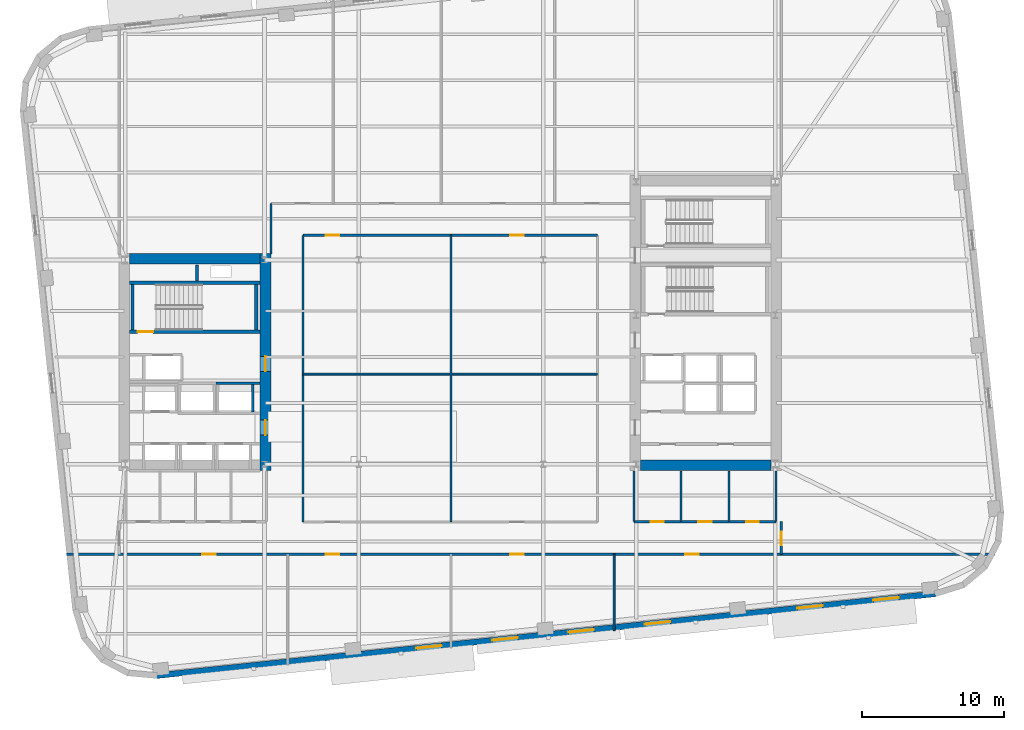
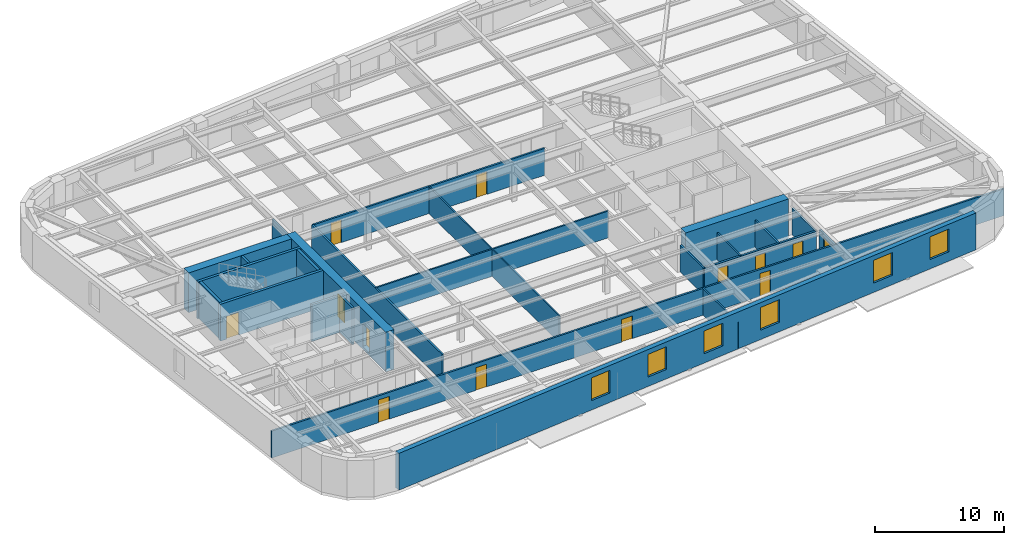
# One storey, part 5 of 11: 24 walls, 13 doors, 6 windows, 19 openings.
"""IFC4 building model written with IfcOpenShell, lengths in metres."""

from ifc_helpers import new_model, si_unit, direction, frame, frame_2d, origin, place, context, subcontext, project, spatial, rectangle, extrude, material, layer, layer_set, type_object, element, fill, save


model = new_model("IFC4")

# Units and contexts
model_context = context("Model", 3, precision=1e-05, world=origin(), true_north=direction((0.0, 1.0)))
body_context = subcontext(model_context, "Body", "Model", "MODEL_VIEW")
ifc_project = project(units=[si_unit("LENGTHUNIT", "METRE"), si_unit("AREAUNIT", "SQUARE_METRE"), si_unit("VOLUMEUNIT", "CUBIC_METRE"), si_unit("PLANEANGLEUNIT", "RADIAN"), si_unit("MASSUNIT", "GRAM", prefix="KILO")], contexts=[model_context])

# Site, building, storey
site_placement = place(None, origin())
site = spatial("IfcSite", under=ifc_project, at=site_placement, CompositionType="ELEMENT")
building_placement = place(site_placement, origin())
building = spatial("IfcBuilding", under=site, at=building_placement, Name="Kolvaren Arena Tower", CompositionType="ELEMENT")
storey_placement = place(building_placement, frame((0.0, 0.0, 134.5)))
storey = spatial("IfcBuildingStorey", under=building, at=storey_placement, Name="L31", CompositionType="ELEMENT", Elevation=134.5)

# Wall, openings, doors
ifc_material_1 = material(Name="Gypsum board acoustic assembly", Category="gypsum")
ifc_layer_1 = layer(ifc_material_1, 0.159912109375)
ifc_layer_set_1 = layer_set([ifc_layer_1], Name="Gypsum board acoustic assembly")
wall_type_1 = type_object("IfcWallType", Name="CORR-160", PredefinedType="PARTITIONING", material=ifc_layer_set_1)
wall_1_placement = place(storey_placement, frame((10.41552734375, 13.10009765625, 0.0), z_axis=(0.0, 0.0, 1.0), x_axis=(1.0, 0.0, 0.0)))
wall_1 = element("IfcWall", 1, at=wall_1_placement, inside=storey, type_object=wall_type_1, Name="Interior Partition Wall (L31)", PredefinedType="PARTITIONING", context=body_context, shape_type="SweptSolid", body=[
    extrude(rectangle(XDim=65.414794921875, YDim=0.159912109375, at=frame_2d((32.70751953125, 0.0))), origin(), (0.0, 0.0, 1.0), 2.5400390625),
])
opening_1_placement = place(wall_1_placement, frame((9.5595703125, 0.0, 0.0)))
opening_1 = element("IfcOpeningElement", 2, at=opening_1_placement, cuts=wall_1, Name="Opening D05", PredefinedType="OPENING", context=body_context, shape_type="SweptSolid", body=[
    extrude(rectangle(XDim=0.949951171875, YDim=2.14990234375, at=frame_2d((0.47509765625, 1.074951171875))), frame((0.0, 0.08984375, 0.0), z_axis=(0.0, -1.0, 0.0), x_axis=(1.0, 0.0, 0.0)), (0.0, 0.0, 1.0), 0.179931640625),
])
opening_2_placement = place(wall_1_placement, frame((18.259521484375, 0.0, 0.0)))
opening_2 = element("IfcOpeningElement", 3, at=opening_2_placement, cuts=wall_1, Name="Opening D05", PredefinedType="OPENING", context=body_context, shape_type="SweptSolid", body=[
    extrude(rectangle(XDim=0.949951171875, YDim=2.14990234375, at=frame_2d((0.47509765625, 1.074951171875))), frame((0.0, 0.08984375, 0.0), z_axis=(0.0, -1.0, 0.0), x_axis=(1.0, 0.0, 0.0)), (0.0, 0.0, 1.0), 0.179931640625),
])
opening_3_placement = place(wall_1_placement, frame((31.259521484375, 0.0, 0.0)))
opening_3 = element("IfcOpeningElement", 4, at=opening_3_placement, cuts=wall_1, Name="Opening D05", PredefinedType="OPENING", context=body_context, shape_type="SweptSolid", body=[
    extrude(rectangle(XDim=0.949951171875, YDim=2.14990234375, at=frame_2d((0.47509765625, 1.074951171875))), frame((0.0, 0.08984375, 0.0), z_axis=(0.0, -1.0, 0.0), x_axis=(1.0, 0.0, 0.0)), (0.0, 0.0, 1.0), 0.179931640625),
])
opening_4_placement = place(wall_1_placement, frame((43.609619140625, 0.0, 0.0)))
opening_4 = element("IfcOpeningElement", 5, at=opening_4_placement, cuts=wall_1, Name="Opening D05", PredefinedType="OPENING", context=body_context, shape_type="SweptSolid", body=[
    extrude(rectangle(XDim=0.949951171875, YDim=2.14990234375, at=frame_2d((0.47509765625, 1.074951171875))), frame((0.0, 0.08984375, 0.0), z_axis=(0.0, -1.0, 0.0), x_axis=(1.0, 0.0, 0.0)), (0.0, 0.0, 1.0), 0.179931640625),
])
ifc_material_2 = material(Name="Solid-core oak acoustic office door", Category="wood")
door_type_1 = type_object("IfcDoorType", Name="DOOR-OF-095", OperationType="NOTDEFINED", PredefinedType="DOOR", material=ifc_material_2)
door_1_placement = place(opening_1_placement, origin())
door_1 = element("IfcDoor", 6, at=door_1_placement, inside=storey, type_object=door_type_1, Name="Design Studio Door (L31)", OperationType="SINGLE_SWING_LEFT", OverallHeight=2.14990234375, OverallWidth=0.949951171875, PredefinedType="DOOR", context=body_context, shape_type="SweptSolid", body=[
    extrude(rectangle(XDim=0.949951171875, YDim=2.14990234375, at=frame_2d((0.47509765625, 1.074951171875))), frame((0.0, 0.02490234375, 0.0), z_axis=(0.0, -1.0, 0.0), x_axis=(1.0, 0.0, 0.0)), (0.0, 0.0, 1.0), 0.050048828125),
])
fill(opening_1, door_1)
door_2_placement = place(opening_2_placement, origin())
door_2 = element("IfcDoor", 7, at=door_2_placement, inside=storey, type_object=door_type_1, Name="Design Studio Door (L31)", OperationType="SINGLE_SWING_RIGHT", OverallHeight=2.14990234375, OverallWidth=0.949951171875, PredefinedType="DOOR", context=body_context, shape_type="SweptSolid", body=[
    extrude(rectangle(XDim=0.949951171875, YDim=2.14990234375, at=frame_2d((0.47509765625, 1.074951171875))), frame((0.0, 0.02490234375, 0.0), z_axis=(0.0, -1.0, 0.0), x_axis=(1.0, 0.0, 0.0)), (0.0, 0.0, 1.0), 0.050048828125),
])
fill(opening_2, door_2)
door_3_placement = place(opening_3_placement, origin())
door_3 = element("IfcDoor", 8, at=door_3_placement, inside=storey, type_object=door_type_1, Name="Meeting Room Door (L31)", OperationType="SINGLE_SWING_LEFT", OverallHeight=2.14990234375, OverallWidth=0.949951171875, PredefinedType="DOOR", context=body_context, shape_type="SweptSolid", body=[
    extrude(rectangle(XDim=0.949951171875, YDim=2.14990234375, at=frame_2d((0.47509765625, 1.074951171875))), frame((0.0, 0.02490234375, 0.0), z_axis=(0.0, -1.0, 0.0), x_axis=(1.0, 0.0, 0.0)), (0.0, 0.0, 1.0), 0.050048828125),
])
fill(opening_3, door_3)
door_4_placement = place(opening_4_placement, origin())
door_4 = element("IfcDoor", 9, at=door_4_placement, inside=storey, type_object=door_type_1, Name="Training Seminar Room Door (L31)", OperationType="SINGLE_SWING_RIGHT", OverallHeight=2.14990234375, OverallWidth=0.949951171875, PredefinedType="DOOR", context=body_context, shape_type="SweptSolid", body=[
    extrude(rectangle(XDim=0.949951171875, YDim=2.14990234375, at=frame_2d((0.47509765625, 1.074951171875))), frame((0.0, 0.02490234375, 0.0), z_axis=(0.0, -1.0, 0.0), x_axis=(1.0, 0.0, 0.0)), (0.0, 0.0, 1.0), 0.050048828125),
])
fill(opening_4, door_4)

# Wall
wall_2_placement = place(storey_placement, frame((24.820068359375, 34.25, 0.0), z_axis=(0.0, 0.0, 1.0), x_axis=(0.0, 1.0, 0.0)))
element("IfcWall", 10, at=wall_2_placement, inside=storey, type_object=wall_type_1, Name="Interior Partition Wall (L31)", PredefinedType="PARTITIONING", context=body_context, shape_type="SweptSolid", body=[
    extrude(rectangle(XDim=3.570068359375, YDim=0.159912109375, at=frame_2d((1.78515625, 0.0))), origin(), (0.0, 0.0, 1.0), 2.5400390625),
])

# Wall, openings, doors
wall_3_placement = place(storey_placement, frame((27.080078125, 35.580078125, 0.0), z_axis=(0.0, 0.0, 1.0), x_axis=(1.0, 0.0, 0.0)))
wall_3 = element("IfcWall", 11, at=wall_3_placement, inside=storey, type_object=wall_type_1, Name="Interior Partition Wall (L31)", PredefinedType="PARTITIONING", context=body_context, shape_type="SweptSolid", body=[
    extrude(rectangle(XDim=20.739990234375, YDim=0.159912109375, at=frame_2d((10.3701171875, 0.0))), origin(), (0.0, 0.0, 1.0), 2.5400390625),
])
opening_5_placement = place(wall_3_placement, frame((1.594970703125, 0.0, 0.0)))
opening_5 = element("IfcOpeningElement", 12, at=opening_5_placement, cuts=wall_3, Name="Opening D05", PredefinedType="OPENING", context=body_context, shape_type="SweptSolid", body=[
    extrude(rectangle(XDim=0.949951171875, YDim=2.14990234375, at=frame_2d((0.47509765625, 1.074951171875))), frame((0.0, 0.08984375, 0.0), z_axis=(0.0, -1.0, 0.0), x_axis=(1.0, 0.0, 0.0)), (0.0, 0.0, 1.0), 0.179931640625),
])
opening_6_placement = place(wall_3_placement, frame((14.594970703125, 0.0, 0.0)))
opening_6 = element("IfcOpeningElement", 13, at=opening_6_placement, cuts=wall_3, Name="Opening D05", PredefinedType="OPENING", context=body_context, shape_type="SweptSolid", body=[
    extrude(rectangle(XDim=0.949951171875, YDim=2.14990234375, at=frame_2d((0.47509765625, 1.074951171875))), frame((0.0, 0.08984375, 0.0), z_axis=(0.0, -1.0, 0.0), x_axis=(1.0, 0.0, 0.0)), (0.0, 0.0, 1.0), 0.179931640625),
])
door_5_placement = place(opening_5_placement, origin())
door_5 = element("IfcDoor", 14, at=door_5_placement, inside=storey, type_object=door_type_1, Name="Collaborative Work Studio Door (L31)", OperationType="SINGLE_SWING_LEFT", OverallHeight=2.14990234375, OverallWidth=0.949951171875, PredefinedType="DOOR", context=body_context, shape_type="SweptSolid", body=[
    extrude(rectangle(XDim=0.949951171875, YDim=2.14990234375, at=frame_2d((0.47509765625, 1.074951171875))), frame((0.0, 0.02490234375, 0.0), z_axis=(0.0, -1.0, 0.0), x_axis=(1.0, 0.0, 0.0)), (0.0, 0.0, 1.0), 0.050048828125),
])
fill(opening_5, door_5)
door_6_placement = place(opening_6_placement, origin())
door_6 = element("IfcDoor", 15, at=door_6_placement, inside=storey, type_object=door_type_1, Name="Corporate Project Office Door (L31)", OperationType="SINGLE_SWING_LEFT", OverallHeight=2.14990234375, OverallWidth=0.949951171875, PredefinedType="DOOR", context=body_context, shape_type="SweptSolid", body=[
    extrude(rectangle(XDim=0.949951171875, YDim=2.14990234375, at=frame_2d((0.47509765625, 1.074951171875))), frame((0.0, 0.02490234375, 0.0), z_axis=(0.0, -1.0, 0.0), x_axis=(1.0, 0.0, 0.0)), (0.0, 0.0, 1.0), 0.050048828125),
])
fill(opening_6, door_6)

# Wall
wall_4_placement = place(storey_placement, frame((27.080078125, 15.3798828125, 0.0), z_axis=(0.0, 0.0, 1.0), x_axis=(0.0, 1.0, 0.0)))
element("IfcWall", 16, at=wall_4_placement, inside=storey, type_object=wall_type_1, Name="Interior Partition Wall (L31)", PredefinedType="PARTITIONING", context=body_context, shape_type="SweptSolid", body=[
    extrude(rectangle(XDim=20.2001953125, YDim=0.159912109375, at=frame_2d((10.10009765625, 0.0))), origin(), (0.0, 0.0, 1.0), 2.5400390625),
])

# Wall, opening, door
wall_5_placement = place(storey_placement, frame((60.780029296875, 13.10009765625, 0.0), z_axis=(0.0, 0.0, 1.0), x_axis=(0.0, 1.0, 0.0)))
wall_5 = element("IfcWall", 17, at=wall_5_placement, inside=storey, type_object=wall_type_1, Name="Interior Partition Wall (L31)", PredefinedType="PARTITIONING", context=body_context, shape_type="SweptSolid", body=[
    extrude(rectangle(XDim=2.2998046875, YDim=0.159912109375, at=frame_2d((1.14990234375, 0.0))), origin(), (0.0, 0.0, 1.0), 2.5400390625),
])
opening_7_placement = place(wall_5_placement, frame((0.64990234375, 0.0, 0.0)))
opening_7 = element("IfcOpeningElement", 18, at=opening_7_placement, cuts=wall_5, Name="Opening D05", PredefinedType="OPENING", context=body_context, shape_type="SweptSolid", body=[
    extrude(rectangle(XDim=0.949951171875, YDim=2.14990234375, at=frame_2d((0.47509765625, 1.074951171875))), frame((0.0, 0.08984375, 0.0), z_axis=(0.0, -1.0, 0.0), x_axis=(1.0, 0.0, 0.0)), (0.0, 0.0, 1.0), 0.179931640625),
])
door_7_placement = place(opening_7_placement, origin())
door_7 = element("IfcDoor", 19, at=door_7_placement, inside=storey, type_object=door_type_1, Name="East Wing Studio Door (L31)", OperationType="SINGLE_SWING_RIGHT", OverallHeight=2.14990234375, OverallWidth=0.949951171875, PredefinedType="DOOR", context=body_context, shape_type="SweptSolid", body=[
    extrude(rectangle(XDim=0.949951171875, YDim=2.14990234375, at=frame_2d((0.47509765625, 1.074951171875))), frame((0.0, 0.02490234375, 0.0), z_axis=(0.0, -1.0, 0.0), x_axis=(1.0, 0.0, 0.0)), (0.0, 0.0, 1.0), 0.050048828125),
])
fill(opening_7, door_7)

# Wall, openings, doors
ifc_material_3 = material(Name="Concrete 70 MPa", Category="concrete")
ifc_layer_2 = layer(ifc_material_3, 0.75)
ifc_layer_set_2 = layer_set([ifc_layer_2], Name="Concrete 70 MPa")
wall_type_2 = type_object("IfcWallType", Name="CWALL-750", PredefinedType="SHEAR", material=ifc_layer_set_2)
wall_6_placement = place(storey_placement, frame((24.425048828125, 19.0, -0.27001953125), z_axis=(0.0, 0.0, 1.0), x_axis=(0.0, 1.0, 0.0)))
wall_6 = element("IfcWall", 20, at=wall_6_placement, inside=storey, type_object=wall_type_2, Name="Core Shear Wall WC-EAST (L31)", PredefinedType="SHEAR", context=body_context, shape_type="SweptSolid", body=[
    extrude(rectangle(XDim=15.300048828125, YDim=0.75, at=frame_2d((7.64990234375, 0.0))), origin(), (0.0, 0.0, 1.0), 3.75),
])
opening_8_placement = place(wall_6_placement, frame((2.5, 0.0, 0.27001953125)))
opening_8 = element("IfcOpeningElement", 21, at=opening_8_placement, cuts=wall_6, Name="Opening D04", PredefinedType="OPENING", context=body_context, shape_type="SweptSolid", body=[
    extrude(rectangle(XDim=1.050048828125, YDim=2.14990234375, at=frame_2d((0.52490234375, 1.074951171875))), frame((0.0, 0.385009765625, 0.0), z_axis=(0.0, -1.0, 0.0), x_axis=(1.0, 0.0, 0.0)), (0.0, 0.0, 1.0), 0.77001953125),
])
opening_9_placement = place(wall_6_placement, frame((7.0, 0.0, 0.27001953125)))
opening_9 = element("IfcOpeningElement", 22, at=opening_9_placement, cuts=wall_6, Name="Opening D04", PredefinedType="OPENING", context=body_context, shape_type="SweptSolid", body=[
    extrude(rectangle(XDim=1.050048828125, YDim=2.14990234375, at=frame_2d((0.52490234375, 1.074951171875))), frame((0.0, 0.385009765625, 0.0), z_axis=(0.0, -1.0, 0.0), x_axis=(1.0, 0.0, 0.0)), (0.0, 0.0, 1.0), 0.77001953125),
])
ifc_material_4 = material(Name="Fire-rated steel lobby door", Category="steel")
door_type_2 = type_object("IfcDoorType", Name="DOOR-FF-105", OperationType="NOTDEFINED", PredefinedType="DOOR", material=ifc_material_4)
door_8_placement = place(opening_8_placement, origin())
door_8 = element("IfcDoor", 23, at=door_8_placement, inside=storey, type_object=door_type_2, Name="West Lift Lobby Fire Door (L31)", OperationType="SINGLE_SWING_LEFT", OverallHeight=2.14990234375, OverallWidth=1.050048828125, PredefinedType="DOOR", context=body_context, shape_type="SweptSolid", body=[
    extrude(rectangle(XDim=1.050048828125, YDim=2.14990234375, at=frame_2d((0.52490234375, 1.074951171875))), frame((0.0, 0.02490234375, 0.0), z_axis=(0.0, -1.0, 0.0), x_axis=(1.0, 0.0, 0.0)), (0.0, 0.0, 1.0), 0.050048828125),
])
fill(opening_8, door_8)
door_9_placement = place(opening_9_placement, origin())
door_9 = element("IfcDoor", 24, at=door_9_placement, inside=storey, type_object=door_type_2, Name="West Firefighter Vestibule Door (L31)", OperationType="SINGLE_SWING_RIGHT", OverallHeight=2.14990234375, OverallWidth=1.050048828125, PredefinedType="DOOR", context=body_context, shape_type="SweptSolid", body=[
    extrude(rectangle(XDim=1.050048828125, YDim=2.14990234375, at=frame_2d((0.52490234375, 1.074951171875))), frame((0.0, 0.02490234375, 0.0), z_axis=(0.0, -1.0, 0.0), x_axis=(1.0, 0.0, 0.0)), (0.0, 0.0, 1.0), 0.050048828125),
])
fill(opening_9, door_9)

# Walls
for number, where, z_axis, x_axis, name in (
    (25, (14.85009765625, 33.925048828125, -0.27001953125), (0.0, 0.0, 1.0), (1.0, 0.0, 0.0), "Core Shear Wall WC-NORTH (L31)"),
    (26, (50.85009765625, 19.375, -0.27001953125), (0.0, 0.0, 1.0), (1.0, 0.0, 0.0), "Core Shear Wall EC-SOUTH (L31)"),
):
    element("IfcWall", number, at=place(storey_placement, frame(where, z_axis=z_axis, x_axis=x_axis)), inside=storey, type_object=wall_type_2, Name=name, PredefinedType="SHEAR", context=body_context, shape_type="SweptSolid", body=[
        extrude(rectangle(XDim=9.199951171875, YDim=0.75, at=frame_2d((4.60009765625, 0.0))), origin(), (0.0, 0.0, 1.0), 3.75),
    ])

# Wall, openings, windows
ifc_material_5 = material(Name="Precast concrete C50/60", Category="concrete")
ifc_layer_3 = layer(ifc_material_5, 0.419921875)
ifc_layer_set_3 = layer_set([ifc_layer_3], Name="Precast concrete C50/60")
wall_type_3 = type_object("IfcWallType", Name="EXT-PIER1", PredefinedType="SOLIDWALL", material=ifc_layer_set_3)
wall_7_placement = place(storey_placement, frame((71.641357421875, 10.3203125, 0.0), z_axis=(0.0, 0.0, 1.0), x_axis=(-0.994521775062, -0.104529607897, 0.0)))
wall_7 = element("IfcWall", 27, at=wall_7_placement, inside=storey, type_object=wall_type_3, Name="Exterior Precast Masonry-Frame Wall (L31)", PredefinedType="SOLIDWALL", context=body_context, shape_type="SweptSolid", body=[
    extrude(rectangle(XDim=55.199951171875, YDim=0.419921875, at=frame_2d((27.60009765625, 0.0))), origin(), (0.0, 0.0, 1.0), 3.47998046875),
])
opening_10_placement = place(wall_7_placement, frame((2.60009765625, 0.0, 0.8798828125)))
opening_10 = element("IfcOpeningElement", 28, at=opening_10_placement, cuts=wall_7, Name="Opening W02", PredefinedType="OPENING", context=body_context, shape_type="SweptSolid", body=[
    extrude(rectangle(XDim=1.800048828125, YDim=2.14990234375, at=frame_2d((0.89990234375, 1.074951171875))), frame((0.0, 0.219970703125, 0.0), z_axis=(0.0, -1.0, 0.0), x_axis=(1.0, 0.0, 0.0)), (0.0, 0.0, 1.0), 0.43994140625),
])
opening_11_placement = place(wall_7_placement, frame((8.0, 0.0, 0.8798828125)))
opening_11 = element("IfcOpeningElement", 29, at=opening_11_placement, cuts=wall_7, Name="Opening W02", PredefinedType="OPENING", context=body_context, shape_type="SweptSolid", body=[
    extrude(rectangle(XDim=1.800048828125, YDim=2.14990234375, at=frame_2d((0.89990234375, 1.074951171875))), frame((0.0, 0.219970703125, 0.0), z_axis=(0.0, -1.0, 0.0), x_axis=(1.0, 0.0, 0.0)), (0.0, 0.0, 1.0), 0.43994140625),
])
opening_12_placement = place(wall_7_placement, frame((18.800048828125, 0.0, 0.8798828125)))
opening_12 = element("IfcOpeningElement", 30, at=opening_12_placement, cuts=wall_7, Name="Opening W02", PredefinedType="OPENING", context=body_context, shape_type="SweptSolid", body=[
    extrude(rectangle(XDim=1.800048828125, YDim=2.14990234375, at=frame_2d((0.89990234375, 1.074951171875))), frame((0.0, 0.219970703125, 0.0), z_axis=(0.0, -1.0, 0.0), x_axis=(1.0, 0.0, 0.0)), (0.0, 0.0, 1.0), 0.43994140625),
])
opening_13_placement = place(wall_7_placement, frame((24.199951171875, 0.0, 0.8798828125)))
opening_13 = element("IfcOpeningElement", 31, at=opening_13_placement, cuts=wall_7, Name="Opening W02", PredefinedType="OPENING", context=body_context, shape_type="SweptSolid", body=[
    extrude(rectangle(XDim=1.800048828125, YDim=2.14990234375, at=frame_2d((0.89990234375, 1.074951171875))), frame((0.0, 0.219970703125, 0.0), z_axis=(0.0, -1.0, 0.0), x_axis=(1.0, 0.0, 0.0)), (0.0, 0.0, 1.0), 0.43994140625),
])
opening_14_placement = place(wall_7_placement, frame((29.60009765625, 0.0, 0.8798828125)))
opening_14 = element("IfcOpeningElement", 32, at=opening_14_placement, cuts=wall_7, Name="Opening W02", PredefinedType="OPENING", context=body_context, shape_type="SweptSolid", body=[
    extrude(rectangle(XDim=1.800048828125, YDim=2.14990234375, at=frame_2d((0.89990234375, 1.074951171875))), frame((0.0, 0.219970703125, 0.0), z_axis=(0.0, -1.0, 0.0), x_axis=(1.0, 0.0, 0.0)), (0.0, 0.0, 1.0), 0.43994140625),
])
opening_15_placement = place(wall_7_placement, frame((35.0, 0.0, 0.8798828125)))
opening_15 = element("IfcOpeningElement", 33, at=opening_15_placement, cuts=wall_7, Name="Opening W02", PredefinedType="OPENING", context=body_context, shape_type="SweptSolid", body=[
    extrude(rectangle(XDim=1.800048828125, YDim=2.14990234375, at=frame_2d((0.89990234375, 1.074951171875))), frame((0.0, 0.219970703125, 0.0), z_axis=(0.0, -1.0, 0.0), x_axis=(1.0, 0.0, 0.0)), (0.0, 0.0, 1.0), 0.43994140625),
])
ifc_material_6 = material(Name="Triple-glazed low-E aluminium window", Category="aluminium")
window_type = type_object("IfcWindowType", Name="WIN-OFF-B", PartitioningType="DOUBLE_PANEL_VERTICAL", PredefinedType="WINDOW", material=ifc_material_6)
window_1_placement = place(opening_10_placement, origin())
window_1 = element("IfcWindow", 34, at=window_1_placement, inside=storey, type_object=window_type, Name="Punched Precast-Pier Window (L31)", OverallHeight=2.14990234375, OverallWidth=1.800048828125, PartitioningType="DOUBLE_PANEL_VERTICAL", PredefinedType="WINDOW", context=body_context, shape_type="SweptSolid", body=[
    extrude(rectangle(XDim=1.800048828125, YDim=2.14990234375, at=frame_2d((0.89990234375, 1.074951171875))), frame((0.0, 0.030029296875, 0.0), z_axis=(0.0, -1.0, 0.0), x_axis=(1.0, 0.0, 0.0)), (0.0, 0.0, 1.0), 0.06005859375),
])
fill(opening_10, window_1)
window_2_placement = place(opening_11_placement, origin())
window_2 = element("IfcWindow", 35, at=window_2_placement, inside=storey, type_object=window_type, Name="Punched Precast-Pier Window (L31)", OverallHeight=2.14990234375, OverallWidth=1.800048828125, PartitioningType="DOUBLE_PANEL_VERTICAL", PredefinedType="WINDOW", context=body_context, shape_type="SweptSolid", body=[
    extrude(rectangle(XDim=1.800048828125, YDim=2.14990234375, at=frame_2d((0.89990234375, 1.074951171875))), frame((0.0, 0.030029296875, 0.0), z_axis=(0.0, -1.0, 0.0), x_axis=(1.0, 0.0, 0.0)), (0.0, 0.0, 1.0), 0.06005859375),
])
fill(opening_11, window_2)
window_3_placement = place(opening_12_placement, origin())
window_3 = element("IfcWindow", 36, at=window_3_placement, inside=storey, type_object=window_type, Name="Punched Precast-Pier Window (L31)", OverallHeight=2.14990234375, OverallWidth=1.800048828125, PartitioningType="DOUBLE_PANEL_VERTICAL", PredefinedType="WINDOW", context=body_context, shape_type="SweptSolid", body=[
    extrude(rectangle(XDim=1.800048828125, YDim=2.14990234375, at=frame_2d((0.89990234375, 1.074951171875))), frame((0.0, 0.030029296875, 0.0), z_axis=(0.0, -1.0, 0.0), x_axis=(1.0, 0.0, 0.0)), (0.0, 0.0, 1.0), 0.06005859375),
])
fill(opening_12, window_3)
window_4_placement = place(opening_13_placement, origin())
window_4 = element("IfcWindow", 37, at=window_4_placement, inside=storey, type_object=window_type, Name="Punched Precast-Pier Window (L31)", OverallHeight=2.14990234375, OverallWidth=1.800048828125, PartitioningType="DOUBLE_PANEL_VERTICAL", PredefinedType="WINDOW", context=body_context, shape_type="SweptSolid", body=[
    extrude(rectangle(XDim=1.800048828125, YDim=2.14990234375, at=frame_2d((0.89990234375, 1.074951171875))), frame((0.0, 0.030029296875, 0.0), z_axis=(0.0, -1.0, 0.0), x_axis=(1.0, 0.0, 0.0)), (0.0, 0.0, 1.0), 0.06005859375),
])
fill(opening_13, window_4)
window_5_placement = place(opening_14_placement, origin())
window_5 = element("IfcWindow", 38, at=window_5_placement, inside=storey, type_object=window_type, Name="Punched Precast-Pier Window (L31)", OverallHeight=2.14990234375, OverallWidth=1.800048828125, PartitioningType="DOUBLE_PANEL_VERTICAL", PredefinedType="WINDOW", context=body_context, shape_type="SweptSolid", body=[
    extrude(rectangle(XDim=1.800048828125, YDim=2.14990234375, at=frame_2d((0.89990234375, 1.074951171875))), frame((0.0, 0.030029296875, 0.0), z_axis=(0.0, -1.0, 0.0), x_axis=(1.0, 0.0, 0.0)), (0.0, 0.0, 1.0), 0.06005859375),
])
fill(opening_14, window_5)
window_6_placement = place(opening_15_placement, origin())
window_6 = element("IfcWindow", 39, at=window_6_placement, inside=storey, type_object=window_type, Name="Punched Precast-Pier Window (L31)", OverallHeight=2.14990234375, OverallWidth=1.800048828125, PartitioningType="DOUBLE_PANEL_VERTICAL", PredefinedType="WINDOW", context=body_context, shape_type="SweptSolid", body=[
    extrude(rectangle(XDim=1.800048828125, YDim=2.14990234375, at=frame_2d((0.89990234375, 1.074951171875))), frame((0.0, 0.030029296875, 0.0), z_axis=(0.0, -1.0, 0.0), x_axis=(1.0, 0.0, 0.0)), (0.0, 0.0, 1.0), 0.06005859375),
])
fill(opening_15, window_6)

# Walls
ifc_material_7 = material(Name="Gypsum board partition assembly", Category="gypsum")
ifc_layer_4 = layer(ifc_material_7, 0.114990234375)
ifc_layer_set_4 = layer_set([ifc_layer_4], Name="Gypsum board partition assembly")
wall_type_4 = type_object("IfcWallType", Name="PART-115", PredefinedType="PARTITIONING", material=ifc_layer_set_4)
wall_8_placement = place(storey_placement, frame((37.5, 15.3798828125, 0.0), z_axis=(0.0, 0.0, 1.0), x_axis=(0.0, 1.0, 0.0)))
element("IfcWall", 40, at=wall_8_placement, inside=storey, type_object=wall_type_4, Name="Interior Partition Wall (L31)", PredefinedType="PARTITIONING", context=body_context, shape_type="SweptSolid", body=[
    extrude(rectangle(XDim=20.2001953125, YDim=0.114990234375, at=frame_2d((10.10009765625, 0.0))), origin(), (0.0, 0.0, 1.0), 2.5400390625),
])
ifc_layer_5 = layer(ifc_material_7, 0.135009765625)
ifc_layer_set_5 = layer_set([ifc_layer_5], Name="Gypsum board partition assembly")
wall_type_5 = type_object("IfcWallType", Name="PART-135", PredefinedType="PARTITIONING", material=ifc_layer_set_5)
wall_9_placement = place(storey_placement, frame((49.0, 7.7294921875, 0.0), z_axis=(0.0, 0.0, 1.0), x_axis=(0.0, 1.0, 0.0)))
element("IfcWall", 41, at=wall_9_placement, inside=storey, type_object=wall_type_5, Name="Interior Partition Wall (L31)", PredefinedType="PARTITIONING", context=body_context, shape_type="SweptSolid", body=[
    extrude(rectangle(XDim=5.37060546875, YDim=0.135009765625, at=frame_2d((2.685302734375, 0.0))), origin(), (0.0, 0.0, 1.0), 2.5400390625),
])
wall_10_placement = place(storey_placement, frame((27.080078125, 25.800048828125, 0.0), z_axis=(0.0, 0.0, 1.0), x_axis=(1.0, 0.0, 0.0)))
element("IfcWall", 42, at=wall_10_placement, inside=storey, type_object=wall_type_5, Name="Interior Partition Wall (L31)", PredefinedType="PARTITIONING", context=body_context, shape_type="SweptSolid", body=[
    extrude(rectangle(XDim=20.739990234375, YDim=0.135009765625, at=frame_2d((10.3701171875, 0.0))), origin(), (0.0, 0.0, 1.0), 2.5400390625),
])

# Wall, opening, door
ifc_material_8 = material(Name="Concrete 45 MPa", Category="concrete")
ifc_layer_6 = layer(ifc_material_8, 0.25)
ifc_layer_set_6 = layer_set([ifc_layer_6], Name="Concrete 45 MPa")
wall_type_6 = type_object("IfcWallType", Name="SHAFT-250", PredefinedType="SOLIDWALL", material=ifc_layer_set_6)
wall_11_placement = place(storey_placement, frame((24.050048828125, 28.780029296875, 0.0), z_axis=(0.0, 0.0, 1.0), x_axis=(-1.0, 0.0, 0.0)))
wall_11 = element("IfcWall", 43, at=wall_11_placement, inside=storey, type_object=wall_type_6, Name="Core Shaft Wall (L31)", PredefinedType="SOLIDWALL", context=body_context, shape_type="SweptSolid", body=[
    extrude(rectangle(XDim=9.199951171875, YDim=0.239990234375, at=frame_2d((4.60009765625, 0.0))), origin(), (0.0, 0.0, 1.0), 3.47998046875),
])
opening_16_placement = place(wall_11_placement, frame((7.530029296875, 0.0, 0.0)))
opening_16 = element("IfcOpeningElement", 44, at=opening_16_placement, cuts=wall_11, Name="Opening D03", PredefinedType="OPENING", context=body_context, shape_type="SweptSolid", body=[
    extrude(rectangle(XDim=1.10009765625, YDim=2.14990234375, at=frame_2d((0.550048828125, 1.074951171875))), frame((0.0, 0.1298828125, 0.0), z_axis=(0.0, -1.0, 0.0), x_axis=(1.0, 0.0, 0.0)), (0.0, 0.0, 1.0), 0.260009765625),
])
ifc_material_9 = material(Name="Fire-rated steel exit stair door", Category="steel")
door_type_3 = type_object("IfcDoorType", Name="DOOR-ST-110", OperationType="NOTDEFINED", PredefinedType="DOOR", material=ifc_material_9)
door_10_placement = place(opening_16_placement, origin())
door_10 = element("IfcDoor", 45, at=door_10_placement, inside=storey, type_object=door_type_3, Name="Stair ST-W1 Fire Door (L31)", OperationType="SINGLE_SWING_RIGHT", OverallHeight=2.14990234375, OverallWidth=1.10009765625, PredefinedType="DOOR", context=body_context, shape_type="SweptSolid", body=[
    extrude(rectangle(XDim=1.10009765625, YDim=2.14990234375, at=frame_2d((0.550048828125, 1.074951171875))), frame((0.0, 0.02490234375, 0.0), z_axis=(0.0, -1.0, 0.0), x_axis=(1.0, 0.0, 0.0)), (0.0, 0.0, 1.0), 0.050048828125),
])
fill(opening_16, door_10)

# Walls
wall_12_placement = place(storey_placement, frame((14.85009765625, 32.25, 0.0), z_axis=(0.0, 0.0, 1.0), x_axis=(1.0, 0.0, 0.0)))
element("IfcWall", 46, at=wall_12_placement, inside=storey, type_object=wall_type_6, Name="Core Shaft Wall (L31)", PredefinedType="SOLIDWALL", context=body_context, shape_type="SweptSolid", body=[
    extrude(rectangle(XDim=9.199951171875, YDim=0.239990234375, at=frame_2d((4.60009765625, 0.0))), origin(), (0.0, 0.0, 1.0), 3.47998046875),
])
for number, where, z_axis, x_axis, name in (
    (47, (15.06005859375, 28.89990234375, 0.0), (0.0, 0.0, 1.0), (0.0, 1.0, 0.0), "Core Shaft Wall (L31)"),
    (48, (23.780029296875, 28.89990234375, 0.0), (0.0, 0.0, 1.0), (0.0, 1.0, 0.0), "Core Shaft Wall (L31)"),
):
    element("IfcWall", number, at=place(storey_placement, frame(where, z_axis=z_axis, x_axis=x_axis)), inside=storey, type_object=wall_type_6, Name=name, PredefinedType="SOLIDWALL", context=body_context, shape_type="SweptSolid", body=[
        extrude(rectangle(XDim=3.22998046875, YDim=0.239990234375, at=frame_2d((1.614990234375, 0.0))), origin(), (0.0, 0.0, 1.0), 3.47998046875),
    ])
wall_13_placement = place(storey_placement, frame((19.60009765625, 32.3701171875, 0.0), z_axis=(0.0, 0.0, 1.0), x_axis=(0.0, 1.0, 0.0)))
element("IfcWall", 49, at=wall_13_placement, inside=storey, type_object=wall_type_6, Name="Core Shaft Wall (L31)", PredefinedType="SOLIDWALL", context=body_context, shape_type="SweptSolid", body=[
    extrude(rectangle(XDim=1.1298828125, YDim=0.199951171875, at=frame_2d((0.56494140625, 0.0))), origin(), (0.0, 0.0, 1.0), 3.47998046875),
])
wall_14_placement = place(storey_placement, frame((20.949951171875, 25.155029296875, 0.0), z_axis=(0.0, 0.0, 1.0), x_axis=(1.0, 0.0, 0.0)))
element("IfcWall", 50, at=wall_14_placement, inside=storey, type_object=wall_type_6, Name="Core Shaft Wall (L31)", PredefinedType="SOLIDWALL", context=body_context, shape_type="SweptSolid", body=[
    extrude(rectangle(XDim=3.10009765625, YDim=0.179931640625, at=frame_2d((1.550048828125, 0.0))), origin(), (0.0, 0.0, 1.0), 3.47998046875),
])
wall_15_placement = place(storey_placement, frame((23.530029296875, 23.135009765625, 0.0), z_axis=(0.0, 0.0, 1.0), x_axis=(0.0, 1.0, 0.0)))
element("IfcWall", 51, at=wall_15_placement, inside=storey, type_object=wall_type_6, Name="Core Shaft Wall (L31)", PredefinedType="SOLIDWALL", context=body_context, shape_type="SweptSolid", body=[
    extrude(rectangle(XDim=1.929931640625, YDim=0.179931640625, at=frame_2d((0.96484375, 0.0))), origin(), (0.0, 0.0, 1.0), 3.47998046875),
])

# Wall, openings, doors
wall_16_placement = place(storey_placement, frame((50.39990234375, 15.39990234375, 0.0), z_axis=(0.0, 0.0, 1.0), x_axis=(1.0, 0.0, 0.0)))
wall_16 = element("IfcWall", 52, at=wall_16_placement, inside=storey, type_object=wall_type_6, Name="Interior Partition Wall (L31)", PredefinedType="SOLIDWALL", context=body_context, shape_type="SweptSolid", body=[
    extrude(rectangle(XDim=10.0, YDim=0.179931640625, at=frame_2d((5.0, 0.0))), origin(), (0.0, 0.0, 1.0), 2.5400390625),
])
opening_17_placement = place(wall_16_placement, frame((1.18994140625, 0.0, 0.0)))
opening_17 = element("IfcOpeningElement", 53, at=opening_17_placement, cuts=wall_16, Name="Opening D07", PredefinedType="OPENING", context=body_context, shape_type="SweptSolid", body=[
    extrude(rectangle(XDim=0.919921875, YDim=2.10009765625, at=frame_2d((0.4599609375, 1.050048828125))), frame((0.0, 0.099853515625, 0.0), z_axis=(0.0, -1.0, 0.0), x_axis=(1.0, 0.0, 0.0)), (0.0, 0.0, 1.0), 0.199951171875),
])
opening_18_placement = place(wall_16_placement, frame((4.5400390625, 0.0, 0.0)))
opening_18 = element("IfcOpeningElement", 54, at=opening_18_placement, cuts=wall_16, Name="Opening D07", PredefinedType="OPENING", context=body_context, shape_type="SweptSolid", body=[
    extrude(rectangle(XDim=0.919921875, YDim=2.10009765625, at=frame_2d((0.4599609375, 1.050048828125))), frame((0.0, 0.099853515625, 0.0), z_axis=(0.0, -1.0, 0.0), x_axis=(1.0, 0.0, 0.0)), (0.0, 0.0, 1.0), 0.199951171875),
])
opening_19_placement = place(wall_16_placement, frame((7.919921875, 0.0, 0.0)))
opening_19 = element("IfcOpeningElement", 55, at=opening_19_placement, cuts=wall_16, Name="Opening D09", PredefinedType="OPENING", context=body_context, shape_type="SweptSolid", body=[
    extrude(rectangle(XDim=0.860107421875, YDim=2.050048828125, at=frame_2d((0.43017578125, 1.02490234375))), frame((0.0, 0.099853515625, 0.0), z_axis=(0.0, -1.0, 0.0), x_axis=(1.0, 0.0, 0.0)), (0.0, 0.0, 1.0), 0.199951171875),
])
ifc_material_10 = material(Name="Fire-rated steel riser access door", Category="steel")
door_type_4 = type_object("IfcDoorType", Name="DOOR-RS-086", OperationType="NOTDEFINED", PredefinedType="DOOR", material=ifc_material_10)
door_11_placement = place(opening_19_placement, origin())
door_11 = element("IfcDoor", 56, at=door_11_placement, inside=storey, type_object=door_type_4, Name="Mechanical Riser Closet Door (L31)", OperationType="SINGLE_SWING_LEFT", OverallHeight=2.050048828125, OverallWidth=0.860107421875, PredefinedType="DOOR", context=body_context, shape_type="SweptSolid", body=[
    extrude(rectangle(XDim=0.860107421875, YDim=2.050048828125, at=frame_2d((0.43017578125, 1.02490234375))), frame((0.0, 0.02490234375, 0.0), z_axis=(0.0, -1.0, 0.0), x_axis=(1.0, 0.0, 0.0)), (0.0, 0.0, 1.0), 0.050048828125),
])
fill(opening_19, door_11)
ifc_material_11 = material(Name="Laminate universal washroom door", Category="wood")
door_type_5 = type_object("IfcDoorType", Name="DOOR-WC-092", OperationType="NOTDEFINED", PredefinedType="DOOR", material=ifc_material_11)
door_12_placement = place(opening_17_placement, origin())
door_12 = element("IfcDoor", 57, at=door_12_placement, inside=storey, type_object=door_type_5, Name="Staff Pantry Door (L31)", OperationType="SINGLE_SWING_LEFT", OverallHeight=2.10009765625, OverallWidth=0.919921875, PredefinedType="DOOR", context=body_context, shape_type="SweptSolid", body=[
    extrude(rectangle(XDim=0.919921875, YDim=2.10009765625, at=frame_2d((0.4599609375, 1.050048828125))), frame((0.0, 0.02490234375, 0.0), z_axis=(0.0, -1.0, 0.0), x_axis=(1.0, 0.0, 0.0)), (0.0, 0.0, 1.0), 0.050048828125),
])
fill(opening_17, door_12)
door_13_placement = place(opening_18_placement, origin())
door_13 = element("IfcDoor", 58, at=door_13_placement, inside=storey, type_object=door_type_5, Name="Gender-Neutral Washroom Door (L31)", OperationType="SINGLE_SWING_RIGHT", OverallHeight=2.10009765625, OverallWidth=0.919921875, PredefinedType="DOOR", context=body_context, shape_type="SweptSolid", body=[
    extrude(rectangle(XDim=0.919921875, YDim=2.10009765625, at=frame_2d((0.4599609375, 1.050048828125))), frame((0.0, 0.02490234375, 0.0), z_axis=(0.0, -1.0, 0.0), x_axis=(1.0, 0.0, 0.0)), (0.0, 0.0, 1.0), 0.050048828125),
])
fill(opening_18, door_13)

# Walls
ifc_material_12 = material(Name="Moisture-resistant gypsum assembly", Category="gypsum")
ifc_layer_7 = layer(ifc_material_12, 0.14990234375)
ifc_layer_set_7 = layer_set([ifc_layer_7], Name="Moisture-resistant gypsum assembly")
wall_type_7 = type_object("IfcWallType", Name="WETW-150", PredefinedType="PARTITIONING", material=ifc_layer_set_7)
for number, where, z_axis, x_axis, name in (
    (59, (53.699951171875, 15.39990234375, 0.0), (0.0, 0.0, 1.0), (0.0, 1.0, 0.0), "Interior Partition Wall (L31)"),
    (60, (57.10009765625, 15.39990234375, 0.0), (0.0, 0.0, 1.0), (0.0, 1.0, 0.0), "Interior Partition Wall (L31)"),
    (61, (50.39990234375, 15.39990234375, 0.0), (0.0, 0.0, 1.0), (0.0, 1.0, 0.0), "Interior Partition Wall (L31)"),
    (62, (60.39990234375, 15.39990234375, 0.0), (0.0, 0.0, 1.0), (0.0, 1.0, 0.0), "Interior Partition Wall (L31)"),
):
    element("IfcWall", number, at=place(storey_placement, frame(where, z_axis=z_axis, x_axis=x_axis)), inside=storey, type_object=wall_type_7, Name=name, PredefinedType="PARTITIONING", context=body_context, shape_type="SweptSolid", body=[
        extrude(rectangle(XDim=3.580078125, YDim=0.14990234375, at=frame_2d((1.7900390625, 0.0))), origin(), (0.0, 0.0, 1.0), 2.5400390625),
    ])

save(model, "model.ifc")
